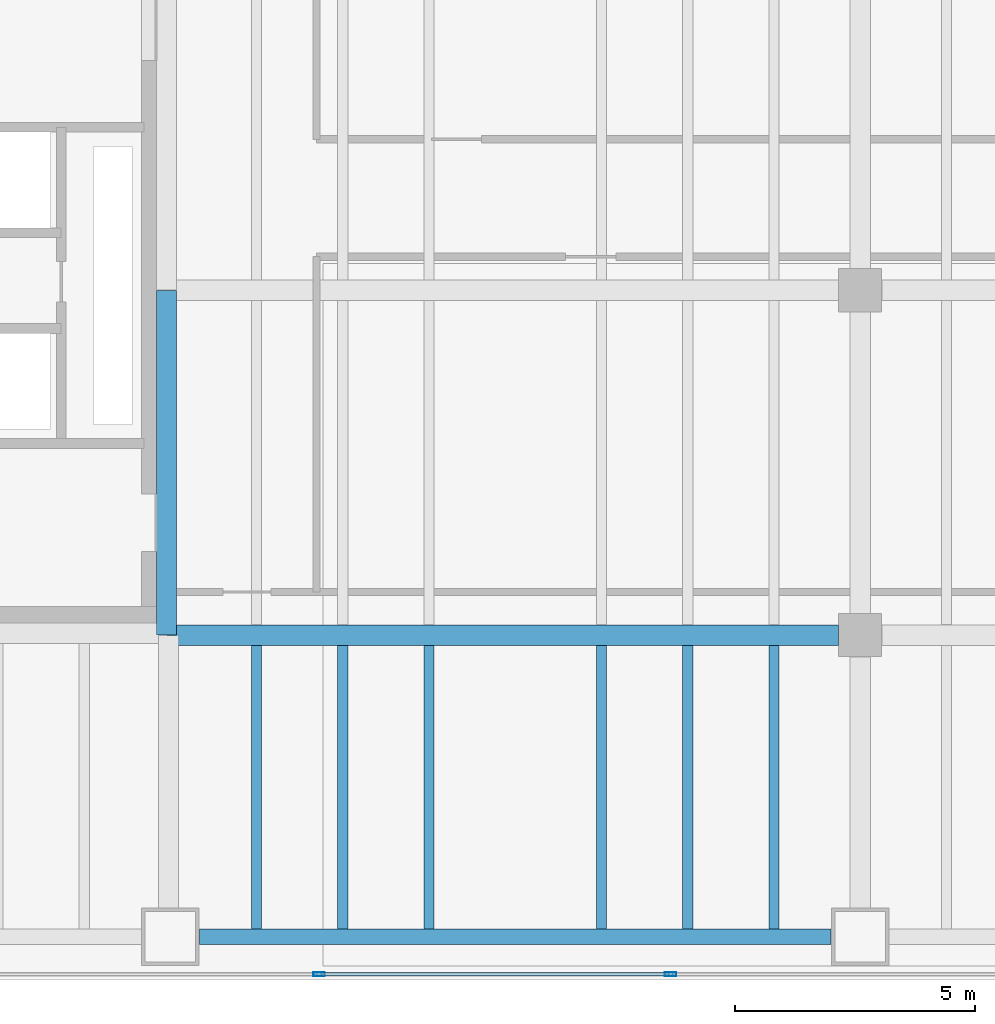
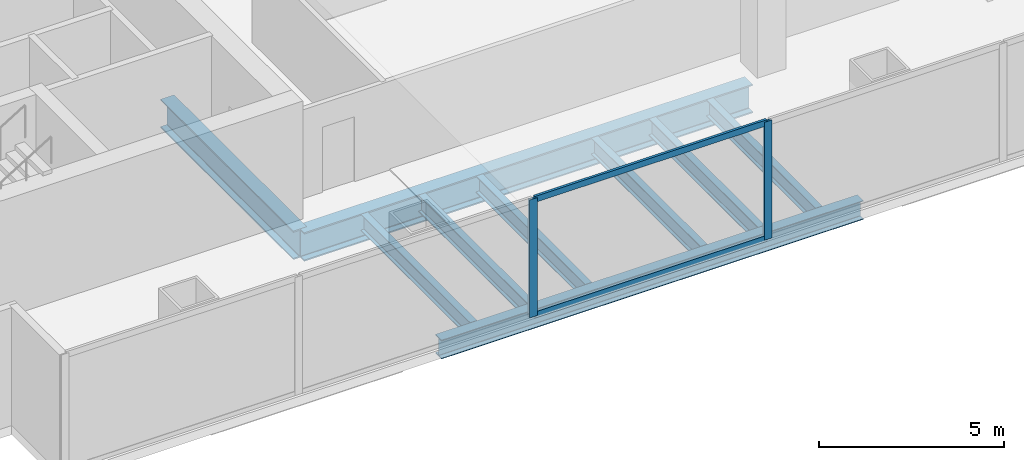
# One storey, part 3 of 34: 9 beams, 4 members, 1 element without a shape of its own.
"""IFC4 building model written with IfcOpenShell, lengths in metres."""

import ifcopenshell
import ifcopenshell.guid

model = None  # the IFC model being written
_history = None  # IfcOwnerHistory: only IFC2X3 demands one
_inside = {}  # id of a spatial element -> (the spatial element, [elements in it])
_under = {}  # id of a project, library or spatial element -> (it, [spatial elements below it])
_declared = {}  # id of a project -> (the project, [libraries it declares])
_typed = {}  # id of a type object -> (the type object, [elements of that type])
_made_of = {}  # id of a material, layer set ... -> (it, [elements and type objects made of it])


def new_model(schema):
    """Start an empty IFC model of exactly this schema.

    Asked for "IFC4X3", IfcOpenShell would pick the latest addendum, in which some entities
    have other attributes; the version numbers below select the first issue.
    IFC2X3 requires an IfcOwnerHistory on every rooted entity: one is made here for all.
    """
    global model, _history
    if schema == "IFC4X3":
        model = ifcopenshell.file(schema_version=(4, 3, 0, 0))
    else:
        model = ifcopenshell.file(schema=schema)
    _inside.clear()
    _under.clear()
    _declared.clear()
    _typed.clear()
    _made_of.clear()
    _history = None
    if model.schema == "IFC2X3":
        org = make("IfcOrganization", Name="unknown")
        user = make(
            "IfcPersonAndOrganization",
            ThePerson=make("IfcPerson", FamilyName="unknown"),
            TheOrganization=org,
        )
        app = make(
            "IfcApplication",
            ApplicationDeveloper=org,
            Version="unknown",
            ApplicationFullName="unknown",
            ApplicationIdentifier="unknown",
        )
        _history = make(
            "IfcOwnerHistory",
            OwningUser=user,
            OwningApplication=app,
            ChangeAction="ADDED",
            CreationDate=0,
        )
    return model


def make(cls, **values):
    """One entity of the class cls with the attributes given. An attribute that is None is left unset."""
    return model.create_entity(
        cls, **{name: value for name, value in values.items() if value is not None}
    )


def rooted(cls, **values):
    """An entity with a GlobalId (a new one), such as an element, a storey or a relation."""
    return make(cls, GlobalId=ifcopenshell.guid.new(), OwnerHistory=_history, **values)


def si_unit(unit_type, name, prefix=None):
    """IfcSIUnit, for example si_unit("LENGTHUNIT", "METRE", prefix="MILLI")."""
    return make("IfcSIUnit", UnitType=unit_type, Prefix=prefix, Name=name)


def assignment(units):
    """IfcUnitAssignment: the units of a project."""
    return None if units is None else make("IfcUnitAssignment", Units=units)


def point(xyz):
    """IfcCartesianPoint."""
    return None if xyz is None else make("IfcCartesianPoint", Coordinates=xyz)


def direction(xyz):
    """IfcDirection."""
    return None if xyz is None else make("IfcDirection", DirectionRatios=xyz)


def frame(location, z_axis=None, x_axis=None):
    """IfcAxis2Placement3D, a coordinate frame: its origin and axes. An axis left out is left unset."""
    return make(
        "IfcAxis2Placement3D",
        Location=point(location),
        Axis=direction(z_axis),
        RefDirection=direction(x_axis),
    )


def frame_2d(location, x_axis=None):
    """IfcAxis2Placement2D, a coordinate frame in the plane: its origin and x axis."""
    return make(
        "IfcAxis2Placement2D", Location=point(location), RefDirection=direction(x_axis)
    )


def origin():
    """The frame at (0, 0, 0) with its axes left unset."""
    return frame((0.0, 0.0, 0.0))


def origin_2d():
    """The frame at (0, 0) in the plane with its x axis left unset."""
    return frame_2d((0.0, 0.0))


def place(relative_to, where):
    """IfcLocalPlacement: puts the frame where relative to a parent placement (None: the world)."""
    return make(
        "IfcLocalPlacement", PlacementRelTo=relative_to, RelativePlacement=where
    )


def context(
    kind, dimensions, precision=None, world=None, true_north=None, identifier=None
):
    """IfcGeometricRepresentationContext, for example the 3D "Model" context."""
    return make(
        "IfcGeometricRepresentationContext",
        ContextIdentifier=identifier,
        ContextType=kind,
        CoordinateSpaceDimension=dimensions,
        Precision=precision,
        WorldCoordinateSystem=world,
        TrueNorth=true_north,
    )


def subcontext(parent, identifier, kind, view, scale=None):
    """IfcGeometricRepresentationSubContext, for example "Body" below "Model"."""
    return make(
        "IfcGeometricRepresentationSubContext",
        ContextIdentifier=identifier,
        ContextType=kind,
        ParentContext=parent,
        TargetScale=scale,
        TargetView=view,
    )


def project(units=None, contexts=None):
    """IfcProject with its units and contexts."""
    return rooted(
        "IfcProject",
        Name="project",
        RepresentationContexts=contexts,
        UnitsInContext=assignment(units),
    )


def spatial(cls, under=None, at=None, **own):
    """A site, building, storey or space (cls), placed at a placement, below another one or the project."""
    s = rooted(cls, ObjectPlacement=at, **own)
    if under is not None:
        _under.setdefault(under.id(), (under, []))[1].append(s)
    return s


def profile(cls, at=None, kind="AREA", **sizes):
    """A parametric profile (cls). Its sizes go by their IFC names, for example OverallWidth=200.0."""
    return make(cls, ProfileType=kind, Position=at, **sizes)


def hollow_rectangle(**sizes):
    """IfcRectangleHollowProfileDef."""
    return profile("IfcRectangleHollowProfileDef", **sizes)


def i_section(**sizes):
    """IfcIShapeProfileDef."""
    return profile("IfcIShapeProfileDef", **sizes)


def extrude(swept, where, along, depth):
    """IfcExtrudedAreaSolid: the profile swept, set in the frame where, extruded along a direction by depth."""
    return make(
        "IfcExtrudedAreaSolid",
        SweptArea=swept,
        Position=where,
        ExtrudedDirection=direction(along),
        Depth=depth,
    )


def shape(context_of_items, identifier, shape_type, items):
    """IfcShapeRepresentation: the items that make up one representation, for example the "Body"."""
    return make(
        "IfcShapeRepresentation",
        ContextOfItems=context_of_items,
        RepresentationIdentifier=identifier,
        RepresentationType=shape_type,
        Items=items,
    )


def material(Name=None, Category=None):
    """IfcMaterial."""
    return make("IfcMaterial", Name=Name, Category=Category)


def material_profile(
    of_material, cross_section, Name=None, Category=None, Priority=None
):
    """IfcMaterialProfile: a cross section and its material."""
    return make(
        "IfcMaterialProfile",
        Name=Name,
        Material=of_material,
        Profile=cross_section,
        Priority=Priority,
        Category=Category,
    )


def profile_set(profiles, Name=None, composite=None):
    """IfcMaterialProfileSet."""
    return make(
        "IfcMaterialProfileSet",
        Name=Name,
        MaterialProfiles=profiles,
        CompositeProfile=composite,
    )


def made_of(thing, what):
    """Note that an element or type object is made of a material, layer set ...; save() writes the relation."""
    if what is not None:
        _made_of.setdefault(what.id(), (what, []))[1].append(thing)
    return thing


def type_object(cls, material=None, **own):
    """A type object (cls), such as IfcWallType, which elements share."""
    return made_of(rooted(cls, **own), material)


def element(
    cls,
    number,
    at=None,
    inside=None,
    cuts=None,
    type_object=None,
    material=None,
    context=None,
    identifier="Body",
    shape_type=None,
    held_by="IfcProductDefinitionShape",
    body=None,
    shapes=None,
    **own,
):
    """One element of the class cls, such as IfcWall. Its Tag is "e" and its number.

    at: its placement. inside: the storey or other place that contains it. cuts: it is an
    opening in that element (IfcRelVoidsElement). A single representation is given by context,
    identifier, shape_type and body (its items); several are given by shapes. held_by: the class
    of the entity that holds the representations. save() writes the other relations.
    """
    e = rooted(cls, Tag="e%d" % number, ObjectPlacement=at, **own)
    if body is not None:
        shapes = [shape(context, identifier, shape_type, body)]
    if shapes is not None:
        e.Representation = make(held_by, Representations=shapes)
    if inside is not None:
        _inside.setdefault(inside.id(), (inside, []))[1].append(e)
    if cuts is not None:
        rooted(
            "IfcRelVoidsElement", RelatingBuildingElement=cuts, RelatedOpeningElement=e
        )
    if type_object is not None:
        _typed.setdefault(type_object.id(), (type_object, []))[1].append(e)
    return made_of(e, material)


def aggregate(whole, parts):
    """IfcRelAggregates: a whole, such as a stair, and the parts it consists of."""
    return rooted("IfcRelAggregates", RelatingObject=whole, RelatedObjects=parts)


def save(model, path):
    """Write the relations noted so far, then the file.

    IfcRelAggregates (storeys below a building ...), IfcRelContainedInSpatialStructure (elements
    in a storey), IfcRelDefinesByType, IfcRelAssociatesMaterial and IfcRelDeclares: one each for
    every whole, place, type object, material and project.
    """
    for whole, parts in _under.values():
        aggregate(whole, parts)
    for where, things in _inside.values():
        rooted(
            "IfcRelContainedInSpatialStructure",
            RelatedElements=things,
            RelatingStructure=where,
        )
    for kind, things in _typed.values():
        rooted("IfcRelDefinesByType", RelatedObjects=things, RelatingType=kind)
    for what, things in _made_of.values():
        rooted("IfcRelAssociatesMaterial", RelatedObjects=things, RelatingMaterial=what)
    for by, libraries in _declared.values():
        rooted("IfcRelDeclares", RelatingContext=by, RelatedDefinitions=libraries)
    model.write(path)


model = new_model("IFC4")

# Units and contexts
model_context = context("Model", 3, precision=1e-05, world=origin(), true_north=direction((0.0, 1.0)))
body_context = subcontext(model_context, "Body", "Model", "MODEL_VIEW")
ifc_project = project(units=[si_unit("LENGTHUNIT", "METRE"), si_unit("AREAUNIT", "SQUARE_METRE"), si_unit("VOLUMEUNIT", "CUBIC_METRE"), si_unit("PLANEANGLEUNIT", "RADIAN"), si_unit("MASSUNIT", "GRAM", prefix="KILO")], contexts=[model_context])

# Site, building, storey
site_placement = place(None, origin())
site = spatial("IfcSite", under=ifc_project, at=site_placement, CompositionType="ELEMENT")
building_placement = place(site_placement, origin())
building = spatial("IfcBuilding", under=site, at=building_placement, Name="Cobrela Telecom Tower", CompositionType="ELEMENT")
storey_placement = place(building_placement, frame((0.0, 0.0, 5.25)))
storey = spatial("IfcBuildingStorey", under=building, at=storey_placement, Name="L01", CompositionType="ELEMENT", Elevation=5.25)

# Beams
ifc_material_1 = material(Name="Steel ASTM A992 Grade 50", Category="steel")
ifc_material_profile_1 = material_profile(ifc_material_1, i_section(OverallWidth=0.424072265625, OverallDepth=0.947021484375, WebThickness=0.02392578125, FlangeThickness=0.042724609375, FilletRadius=0.02392578125, at=origin_2d()), Name="W36X302")
ifc_profile_set_1 = profile_set([ifc_material_profile_1], Name="Steel ASTM A992 Grade 50")
beam_type_1 = type_object("IfcBeamType", Name="BM-GIRD-01", PredefinedType="USERDEFINED", material=ifc_profile_set_1)
beam_1_placement = place(storey_placement, frame((14.324951171875, 7.199951171875, -0.7734375), z_axis=(1.0, 0.0, 0.0), x_axis=(0.0, 1.0, 0.0)))
element("IfcBeam", 1, at=beam_1_placement, inside=storey, type_object=beam_type_1, Name="L01 Primary Girder X12", ObjectType="GIRDER", PredefinedType="USERDEFINED", context=body_context, shape_type="SweptSolid", body=[
    extrude(i_section(OverallWidth=0.424072265625, OverallDepth=0.947021484375, WebThickness=0.02392578125, FlangeThickness=0.042724609375, FilletRadius=0.02392578125, at=origin_2d()), origin(), (0.0, 0.0, 1.0), 14.02001953125),
])
beam_2_placement = place(storey_placement, frame((14.320068359375, 7.205078125, -0.7734375), z_axis=(0.0, 1.0, 0.0), x_axis=(-1.0, 0.0, 0.0)))
element("IfcBeam", 2, at=beam_2_placement, inside=storey, type_object=beam_type_1, Name="L01 Primary Girder Y55", ObjectType="GIRDER", PredefinedType="USERDEFINED", context=body_context, shape_type="SweptSolid", body=[
    extrude(i_section(OverallWidth=0.424072265625, OverallDepth=0.947021484375, WebThickness=0.02392578125, FlangeThickness=0.042724609375, FilletRadius=0.02392578125, at=origin_2d()), origin(), (0.0, 0.0, 1.0), 7.18994140625),
])
ifc_material_profile_2 = material_profile(ifc_material_1, i_section(OverallWidth=0.212890625, OverallDepth=0.549072265625, WebThickness=0.0146484375, FlangeThickness=0.023681640625, FilletRadius=0.013916015625, at=origin_2d()), Name="W21X93")
ifc_profile_set_2 = profile_set([ifc_material_profile_2], Name="Steel ASTM A992 Grade 50")
beam_type_2 = type_object("IfcBeamType", Name="BM-JOIST-01", PredefinedType="JOIST", material=ifc_profile_set_2)
for number, where, z_axis, x_axis, name in (
    (3, (16.199951171875, 1.069091796875, -0.574462890625), (0.0, 1.0, 0.0), (-1.0, 0.0, 0.0), "L01 Secondary Composite Floor Beam J13"),
    (4, (18.0, 1.069091796875, -0.574462890625), (0.0, 1.0, 0.0), (-1.0, 0.0, 0.0), "L01 Secondary Composite Floor Beam J20"),
    (5, (19.800048828125, 1.069091796875, -0.574462890625), (0.0, 1.0, 0.0), (-1.0, 0.0, 0.0), "L01 Secondary Composite Floor Beam J27"),
    (6, (23.39990234375, 1.069091796875, -0.574462890625), (0.0, 1.0, 0.0), (-1.0, 0.0, 0.0), "L01 Secondary Composite Floor Beam J34"),
    (7, (25.199951171875, 1.069091796875, -0.574462890625), (0.0, 1.0, 0.0), (-1.0, 0.0, 0.0), "L01 Secondary Composite Floor Beam J40"),
    (8, (27.0, 1.069091796875, -0.574462890625), (0.0, 1.0, 0.0), (-1.0, 0.0, 0.0), "L01 Secondary Composite Floor Beam J45"),
):
    element("IfcBeam", number, at=place(storey_placement, frame(where, z_axis=z_axis, x_axis=x_axis)), inside=storey, type_object=beam_type_2, Name=name, PredefinedType="JOIST", context=body_context, shape_type="SweptSolid", body=[
        extrude(i_section(OverallWidth=0.212890625, OverallDepth=0.549072265625, WebThickness=0.0146484375, FlangeThickness=0.023681640625, FilletRadius=0.013916015625, at=origin_2d()), origin(), (0.0, 0.0, 1.0), 5.913818359375),
    ])
ifc_material_profile_3 = material_profile(ifc_material_1, i_section(OverallWidth=0.327880859375, OverallDepth=0.6220703125, WebThickness=0.015380859375, FlangeThickness=0.0244140625, FilletRadius=0.014892578125, at=origin_2d()), Name="W24X131")
ifc_profile_set_3 = profile_set([ifc_material_profile_3], Name="Steel ASTM A992 Grade 50")
beam_type_3 = type_object("IfcBeamType", Name="BM-SPAND-01", PredefinedType="SPANDREL", material=ifc_profile_set_3)
beam_3_placement = place(storey_placement, frame((15.0048828125, 0.89990234375, -0.611083984375), z_axis=(1.0, 0.0, 0.0), x_axis=(0.0, 1.0, 0.0)))
element("IfcBeam", 9, at=beam_3_placement, inside=storey, type_object=beam_type_3, Name="L01 Perimeter Spandrel X02", PredefinedType="SPANDREL", context=body_context, shape_type="SweptSolid", body=[
    extrude(i_section(OverallWidth=0.327880859375, OverallDepth=0.6220703125, WebThickness=0.015380859375, FlangeThickness=0.0244140625, FilletRadius=0.014892578125, at=origin_2d()), origin(), (0.0, 0.0, 1.0), 13.190185546875),
])

# Curtain wall, members
ifc_material_2 = material(Name="Anodized Bronze Aluminium 6063-T6", Category="aluminium")
curtain_wall_type = type_object("IfcCurtainWallType", Name="CW-SYS-CONC", PredefinedType="USERDEFINED", material=ifc_material_2)
curtain_wall_placement = place(storey_placement, origin())
curtain_wall = element("IfcCurtainWall", 10, at=curtain_wall_placement, inside=storey, type_object=curtain_wall_type, Name="L01 Unitised Bronze Curtain Wall 17", ObjectType="UNITISED CURTAIN WALL", PredefinedType="USERDEFINED")
ifc_material_profile_4 = material_profile(ifc_material_2, hollow_rectangle(XDim=0.080078125, YDim=0.239990234375, WallThickness=0.0048828125, at=origin_2d()), Name="ALU 80x240x5")
ifc_profile_set_4 = profile_set([ifc_material_profile_4], Name="Anodized Bronze Aluminium 6063-T6")
member_type_1 = type_object("IfcMemberType", Name="CW-SYS-CONC-MUL", PredefinedType="MULLION", material=ifc_profile_set_4)
member_1_placement = place(storey_placement, frame((24.845458984375, 0.1201171875, 0.0), z_axis=(0.0, 0.0, 1.0), x_axis=(0.0, -1.0, 0.0)))
member_1 = element("IfcMember", 11, at=member_1_placement, type_object=member_type_1, Name="CW-CONC mullion 9", PredefinedType="MULLION", context=body_context, shape_type="SweptSolid", body=[
    extrude(hollow_rectangle(XDim=0.080078125, YDim=0.239990234375, WallThickness=0.0048828125, at=origin_2d()), origin(), (0.0, 0.0, 1.0), 3.89990234375),
])
member_2_placement = place(storey_placement, frame((17.503662109375, 0.1201171875, 0.0), z_axis=(0.0, 0.0, 1.0), x_axis=(0.0, -1.0, 0.0)))
member_2 = element("IfcMember", 12, at=member_2_placement, type_object=member_type_1, Name="CW-CONC mullion 10", PredefinedType="MULLION", context=body_context, shape_type="SweptSolid", body=[
    extrude(hollow_rectangle(XDim=0.080078125, YDim=0.239990234375, WallThickness=0.0048828125, at=origin_2d()), origin(), (0.0, 0.0, 1.0), 3.89990234375),
])
ifc_material_profile_5 = material_profile(ifc_material_2, hollow_rectangle(XDim=0.080078125, YDim=0.199951171875, WallThickness=0.00390625, at=origin_2d()), Name="ALU 80x200x4")
ifc_profile_set_5 = profile_set([ifc_material_profile_5], Name="Anodized Bronze Aluminium 6063-T6")
member_type_2 = type_object("IfcMemberType", Name="CW-SYS-CONC-TRN", PredefinedType="USERDEFINED", material=ifc_profile_set_5)
member_3_placement = place(storey_placement, frame((24.805419921875, 0.1201171875, 0.0400390625), z_axis=(-1.0, 0.0, 0.0), x_axis=(0.0, -1.0, 0.0)))
member_3 = element("IfcMember", 13, at=member_3_placement, type_object=member_type_2, Name="CW-CONC transom 9.1", ObjectType="TRANSOM", PredefinedType="USERDEFINED", context=body_context, shape_type="SweptSolid", body=[
    extrude(hollow_rectangle(XDim=0.080078125, YDim=0.199951171875, WallThickness=0.00390625, at=origin_2d()), origin(), (0.0, 0.0, 1.0), 7.26171875),
])
member_4_placement = place(storey_placement, frame((24.805419921875, 0.1201171875, 3.860107421875), z_axis=(-1.0, 0.0, 0.0), x_axis=(0.0, -1.0, 0.0)))
member_4 = element("IfcMember", 14, at=member_4_placement, type_object=member_type_2, Name="CW-CONC transom 9.2", ObjectType="TRANSOM", PredefinedType="USERDEFINED", context=body_context, shape_type="SweptSolid", body=[
    extrude(hollow_rectangle(XDim=0.080078125, YDim=0.199951171875, WallThickness=0.00390625, at=origin_2d()), origin(), (0.0, 0.0, 1.0), 7.26171875),
])
aggregate(curtain_wall, [member_1, member_2, member_3, member_4])

save(model, "model.ifc")
